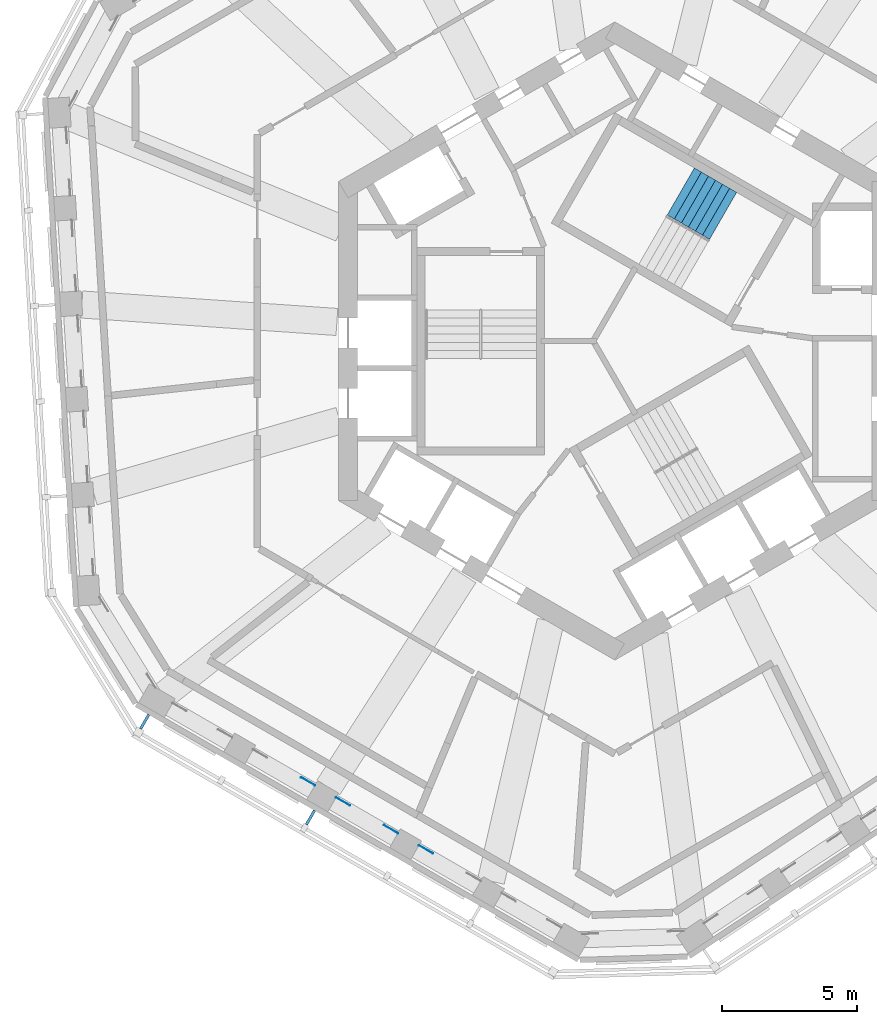
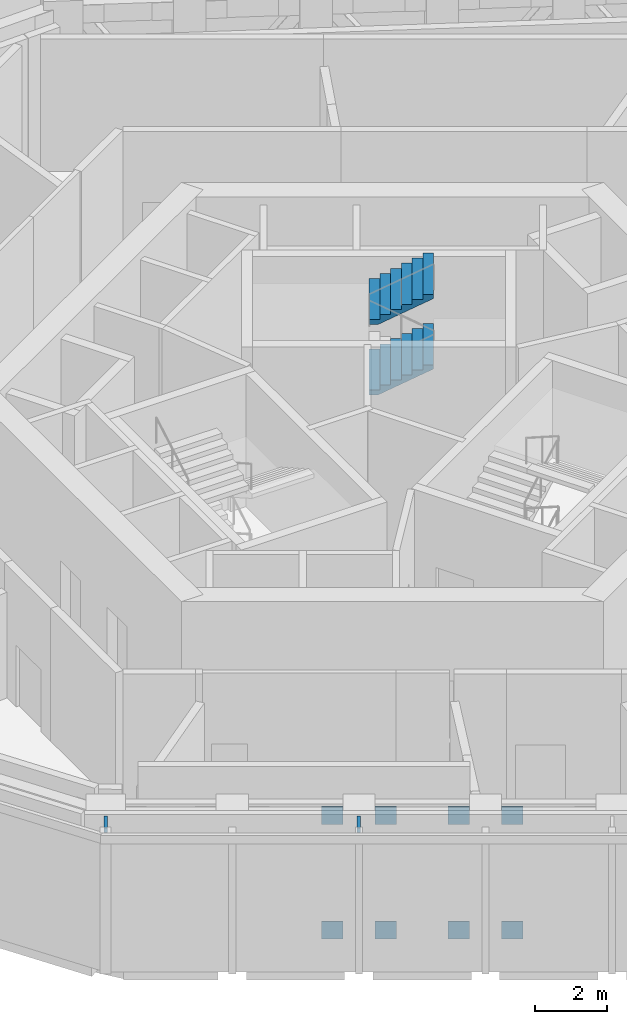
# One storey, part 10 of 14: 10 discrete accessories, 2 stair flights, 1 element without a shape of its own.
"""IFC4 building model written with IfcOpenShell, lengths in metres."""

import ifcopenshell
import ifcopenshell.guid

model = None  # the IFC model being written
_history = None  # IfcOwnerHistory: only IFC2X3 demands one
_inside = {}  # id of a spatial element -> (the spatial element, [elements in it])
_under = {}  # id of a project, library or spatial element -> (it, [spatial elements below it])
_declared = {}  # id of a project -> (the project, [libraries it declares])
_typed = {}  # id of a type object -> (the type object, [elements of that type])
_made_of = {}  # id of a material, layer set ... -> (it, [elements and type objects made of it])


def new_model(schema):
    """Start an empty IFC model of exactly this schema.

    Asked for "IFC4X3", IfcOpenShell would pick the latest addendum, in which some entities
    have other attributes; the version numbers below select the first issue.
    IFC2X3 requires an IfcOwnerHistory on every rooted entity: one is made here for all.
    """
    global model, _history
    if schema == "IFC4X3":
        model = ifcopenshell.file(schema_version=(4, 3, 0, 0))
    else:
        model = ifcopenshell.file(schema=schema)
    _inside.clear()
    _under.clear()
    _declared.clear()
    _typed.clear()
    _made_of.clear()
    _history = None
    if model.schema == "IFC2X3":
        org = make("IfcOrganization", Name="unknown")
        user = make(
            "IfcPersonAndOrganization",
            ThePerson=make("IfcPerson", FamilyName="unknown"),
            TheOrganization=org,
        )
        app = make(
            "IfcApplication",
            ApplicationDeveloper=org,
            Version="unknown",
            ApplicationFullName="unknown",
            ApplicationIdentifier="unknown",
        )
        _history = make(
            "IfcOwnerHistory",
            OwningUser=user,
            OwningApplication=app,
            ChangeAction="ADDED",
            CreationDate=0,
        )
    return model


def make(cls, **values):
    """One entity of the class cls with the attributes given. An attribute that is None is left unset."""
    return model.create_entity(
        cls, **{name: value for name, value in values.items() if value is not None}
    )


def rooted(cls, **values):
    """An entity with a GlobalId (a new one), such as an element, a storey or a relation."""
    return make(cls, GlobalId=ifcopenshell.guid.new(), OwnerHistory=_history, **values)


def si_unit(unit_type, name, prefix=None):
    """IfcSIUnit, for example si_unit("LENGTHUNIT", "METRE", prefix="MILLI")."""
    return make("IfcSIUnit", UnitType=unit_type, Prefix=prefix, Name=name)


def assignment(units):
    """IfcUnitAssignment: the units of a project."""
    return None if units is None else make("IfcUnitAssignment", Units=units)


def point(xyz):
    """IfcCartesianPoint."""
    return None if xyz is None else make("IfcCartesianPoint", Coordinates=xyz)


def direction(xyz):
    """IfcDirection."""
    return None if xyz is None else make("IfcDirection", DirectionRatios=xyz)


def frame(location, z_axis=None, x_axis=None):
    """IfcAxis2Placement3D, a coordinate frame: its origin and axes. An axis left out is left unset."""
    return make(
        "IfcAxis2Placement3D",
        Location=point(location),
        Axis=direction(z_axis),
        RefDirection=direction(x_axis),
    )


def frame_2d(location, x_axis=None):
    """IfcAxis2Placement2D, a coordinate frame in the plane: its origin and x axis."""
    return make(
        "IfcAxis2Placement2D", Location=point(location), RefDirection=direction(x_axis)
    )


def origin():
    """The frame at (0, 0, 0) with its axes left unset."""
    return frame((0.0, 0.0, 0.0))


def origin_2d():
    """The frame at (0, 0) in the plane with its x axis left unset."""
    return frame_2d((0.0, 0.0))


def place(relative_to, where):
    """IfcLocalPlacement: puts the frame where relative to a parent placement (None: the world)."""
    return make(
        "IfcLocalPlacement", PlacementRelTo=relative_to, RelativePlacement=where
    )


def context(
    kind, dimensions, precision=None, world=None, true_north=None, identifier=None
):
    """IfcGeometricRepresentationContext, for example the 3D "Model" context."""
    return make(
        "IfcGeometricRepresentationContext",
        ContextIdentifier=identifier,
        ContextType=kind,
        CoordinateSpaceDimension=dimensions,
        Precision=precision,
        WorldCoordinateSystem=world,
        TrueNorth=true_north,
    )


def subcontext(parent, identifier, kind, view, scale=None):
    """IfcGeometricRepresentationSubContext, for example "Body" below "Model"."""
    return make(
        "IfcGeometricRepresentationSubContext",
        ContextIdentifier=identifier,
        ContextType=kind,
        ParentContext=parent,
        TargetScale=scale,
        TargetView=view,
    )


def project(units=None, contexts=None):
    """IfcProject with its units and contexts."""
    return rooted(
        "IfcProject",
        Name="project",
        RepresentationContexts=contexts,
        UnitsInContext=assignment(units),
    )


def spatial(cls, under=None, at=None, **own):
    """A site, building, storey or space (cls), placed at a placement, below another one or the project."""
    s = rooted(cls, ObjectPlacement=at, **own)
    if under is not None:
        _under.setdefault(under.id(), (under, []))[1].append(s)
    return s


def point_list(points):
    """IfcCartesianPointList2D or 3D."""
    cls = (
        "IfcCartesianPointList2D" if len(points[0]) == 2 else "IfcCartesianPointList3D"
    )
    return make(cls, CoordList=points)


def profile(cls, at=None, kind="AREA", **sizes):
    """A parametric profile (cls). Its sizes go by their IFC names, for example OverallWidth=200.0."""
    return make(cls, ProfileType=kind, Position=at, **sizes)


def rectangle(**sizes):
    """IfcRectangleProfileDef."""
    return profile("IfcRectangleProfileDef", **sizes)


def extrude(swept, where, along, depth):
    """IfcExtrudedAreaSolid: the profile swept, set in the frame where, extruded along a direction by depth."""
    return make(
        "IfcExtrudedAreaSolid",
        SweptArea=swept,
        Position=where,
        ExtrudedDirection=direction(along),
        Depth=depth,
    )


def triangles(points, corners, closed=None, point_numbers=None):
    """IfcTriangulatedFaceSet: each triangle names its three corners, points numbered from 1."""
    return make(
        "IfcTriangulatedFaceSet",
        Coordinates=point_list(points),
        Closed=closed,
        CoordIndex=corners,
        PnIndex=point_numbers,
    )


def shape(context_of_items, identifier, shape_type, items):
    """IfcShapeRepresentation: the items that make up one representation, for example the "Body"."""
    return make(
        "IfcShapeRepresentation",
        ContextOfItems=context_of_items,
        RepresentationIdentifier=identifier,
        RepresentationType=shape_type,
        Items=items,
    )


def source(mapping_origin, context_of_items, identifier, shape_type, items):
    """IfcRepresentationMap: a shape defined once, which mapped items show again and again."""
    return make(
        "IfcRepresentationMap",
        MappingOrigin=mapping_origin,
        MappedRepresentation=shape(context_of_items, identifier, shape_type, items),
    )


def transform(
    local_origin,
    x_axis=None,
    y_axis=None,
    z_axis=None,
    scale=None,
    scale2=None,
    scale3=None,
    uniform=True,
):
    """IfcCartesianTransformationOperator3D, or its non-uniform kind. x_axis, y_axis, z_axis: its Axis1, 2, 3."""
    if uniform:
        return make(
            "IfcCartesianTransformationOperator3D",
            Axis1=direction(x_axis),
            Axis2=direction(y_axis),
            LocalOrigin=point(local_origin),
            Scale=scale,
            Axis3=direction(z_axis),
        )
    return make(
        "IfcCartesianTransformationOperator3DnonUniform",
        Axis1=direction(x_axis),
        Axis2=direction(y_axis),
        LocalOrigin=point(local_origin),
        Scale=scale,
        Axis3=direction(z_axis),
        Scale2=scale2,
        Scale3=scale3,
    )


def mapped(mapping_source, mapping_target):
    """IfcMappedItem: shows the shape of a source again, moved by a transform."""
    return make(
        "IfcMappedItem", MappingSource=mapping_source, MappingTarget=mapping_target
    )


def material(Name=None, Category=None):
    """IfcMaterial."""
    return make("IfcMaterial", Name=Name, Category=Category)


def layer(
    of_material, thickness, ventilated=None, Name=None, Category=None, Priority=None
):
    """IfcMaterialLayer: one layer of a wall or slab, of a material (None: an air gap)."""
    return make(
        "IfcMaterialLayer",
        Material=of_material,
        LayerThickness=thickness,
        IsVentilated=ventilated,
        Name=Name,
        Category=Category,
        Priority=Priority,
    )


def layer_set(layers, Name=None):
    """IfcMaterialLayerSet."""
    return make("IfcMaterialLayerSet", MaterialLayers=layers, LayerSetName=Name)


def made_of(thing, what):
    """Note that an element or type object is made of a material, layer set ...; save() writes the relation."""
    if what is not None:
        _made_of.setdefault(what.id(), (what, []))[1].append(thing)
    return thing


def type_object(cls, material=None, **own):
    """A type object (cls), such as IfcWallType, which elements share."""
    return made_of(rooted(cls, **own), material)


def element(
    cls,
    number,
    at=None,
    inside=None,
    cuts=None,
    type_object=None,
    material=None,
    context=None,
    identifier="Body",
    shape_type=None,
    held_by="IfcProductDefinitionShape",
    body=None,
    shapes=None,
    **own,
):
    """One element of the class cls, such as IfcWall. Its Tag is "e" and its number.

    at: its placement. inside: the storey or other place that contains it. cuts: it is an
    opening in that element (IfcRelVoidsElement). A single representation is given by context,
    identifier, shape_type and body (its items); several are given by shapes. held_by: the class
    of the entity that holds the representations. save() writes the other relations.
    """
    e = rooted(cls, Tag="e%d" % number, ObjectPlacement=at, **own)
    if body is not None:
        shapes = [shape(context, identifier, shape_type, body)]
    if shapes is not None:
        e.Representation = make(held_by, Representations=shapes)
    if inside is not None:
        _inside.setdefault(inside.id(), (inside, []))[1].append(e)
    if cuts is not None:
        rooted(
            "IfcRelVoidsElement", RelatingBuildingElement=cuts, RelatedOpeningElement=e
        )
    if type_object is not None:
        _typed.setdefault(type_object.id(), (type_object, []))[1].append(e)
    return made_of(e, material)


def aggregate(whole, parts):
    """IfcRelAggregates: a whole, such as a stair, and the parts it consists of."""
    return rooted("IfcRelAggregates", RelatingObject=whole, RelatedObjects=parts)


def save(model, path):
    """Write the relations noted so far, then the file.

    IfcRelAggregates (storeys below a building ...), IfcRelContainedInSpatialStructure (elements
    in a storey), IfcRelDefinesByType, IfcRelAssociatesMaterial and IfcRelDeclares: one each for
    every whole, place, type object, material and project.
    """
    for whole, parts in _under.values():
        aggregate(whole, parts)
    for where, things in _inside.values():
        rooted(
            "IfcRelContainedInSpatialStructure",
            RelatedElements=things,
            RelatingStructure=where,
        )
    for kind, things in _typed.values():
        rooted("IfcRelDefinesByType", RelatedObjects=things, RelatingType=kind)
    for what, things in _made_of.values():
        rooted("IfcRelAssociatesMaterial", RelatedObjects=things, RelatingMaterial=what)
    for by, libraries in _declared.values():
        rooted("IfcRelDeclares", RelatingContext=by, RelatedDefinitions=libraries)
    model.write(path)


model = new_model("IFC4")

# Units and contexts
model_context = context("Model", 3, precision=1e-05, world=origin(), true_north=direction((0.0, 1.0)))
body_context = subcontext(model_context, "Body", "Model", "MODEL_VIEW")
ifc_project = project(units=[si_unit("LENGTHUNIT", "METRE"), si_unit("AREAUNIT", "SQUARE_METRE"), si_unit("VOLUMEUNIT", "CUBIC_METRE"), si_unit("PLANEANGLEUNIT", "RADIAN"), si_unit("MASSUNIT", "GRAM", prefix="KILO")], contexts=[model_context])

# Site, building, storey
site_placement = place(None, origin())
site = spatial("IfcSite", under=ifc_project, at=site_placement, CompositionType="ELEMENT")
building_placement = place(site_placement, origin())
building = spatial("IfcBuilding", under=site, at=building_placement, Name="Vanh Sen Convention Tower", CompositionType="ELEMENT")
storey_placement = place(building_placement, frame((0.0, 0.0, 255.0)))
storey = spatial("IfcBuildingStorey", under=building, at=storey_placement, Name="L63", CompositionType="ELEMENT", Elevation=255.0)

# Stair, stair flights
ifc_material_1 = material(Name="Concrete C50/60", Category="concrete")
stair_type = type_object("IfcStairType", Name="Exit stair ST1 28 risers at 171.4", PredefinedType="HALF_TURN_STAIR", material=ifc_material_1)
stair_placement = place(storey_placement, origin())
stair = element("IfcStair", 1, at=stair_placement, inside=storey, type_object=stair_type, Name="Exit stair ST1 L63", PredefinedType="HALF_TURN_STAIR")
ifc_material_2 = material(Name="Concrete C40/50", Category="concrete")
stair_flight_type = type_object("IfcStairFlightType", Name="Stair flight 2000", PredefinedType="STRAIGHT", material=ifc_material_2)
shared_shape = source(origin(), body_context, "Body", "Tessellation", [
    triangles([(0.251953125, 1.0, 0.0), (0.0, 1.0, 0.0), (0.0, 1.0, 0.17138671875), (0.300048828125, 1.0, 0.17138671875), (0.300048828125, 1.0, 0.3427734375), (0.60009765625, 1.0, 0.3427734375), (0.60009765625, 1.0, 0.514404296875), (0.89990234375, 1.0, 0.514404296875), (0.89990234375, 1.0, 0.685791015625), (1.199951171875, 1.0, 0.685791015625), (1.199951171875, 1.0, 0.857177734375), (1.5, 1.0, 0.857177734375), (1.5, 1.0, 1.028564453125), (1.800048828125, 1.0, 1.028564453125), (1.800048828125, 1.0, 0.884521484375), (0.251953125, -1.0, 0.0), (0.0, -1.0, 0.0), (0.0, -1.0, 0.17138671875), (0.300048828125, -1.0, 0.17138671875), (0.300048828125, -1.0, 0.3427734375), (0.60009765625, -1.0, 0.3427734375), (0.60009765625, -1.0, 0.514404296875), (0.89990234375, -1.0, 0.514404296875), (0.89990234375, -1.0, 0.685791015625), (1.199951171875, -1.0, 0.685791015625), (1.199951171875, -1.0, 0.857177734375), (1.5, -1.0, 0.857177734375), (1.5, -1.0, 1.028564453125), (1.800048828125, -1.0, 1.028564453125), (1.800048828125, -1.0, 0.884521484375), (0.0, 0.0400390625, 0.0), (0.0, 0.0390625, 0.0), (0.0, 0.0380859375, 0.0), (0.0, 0.037109375, 0.0), (0.0, 0.035888671875, 0.0), (0.0, 0.034912109375, 0.0), (0.0, 0.033935546875, 0.0), (0.0, 0.032958984375, 0.0), (0.0, 0.031982421875, 0.0), (0.0, 0.031005859375, 0.0), (0.0, 0.030029296875, 0.0), (0.0, 0.029052734375, 0.0), (0.0, 0.028076171875, 0.0), (0.0, 0.027099609375, 0.0), (0.0, 0.02587890625, 0.0), (0.0, 0.02490234375, 0.0), (0.0, 0.02392578125, 0.0), (0.0, 0.02294921875, 0.0), (0.0, 0.02197265625, 0.0), (0.0, 0.02099609375, 0.0), (0.0, 0.02001953125, 0.0), (0.0, 0.01904296875, 0.0), (0.0, 0.01806640625, 0.0), (0.0, 0.01708984375, 0.0), (0.0, 0.01611328125, 0.0), (0.0, 0.014892578125, 0.0), (0.0, 0.013916015625, 0.0), (0.0, 0.012939453125, 0.0), (0.0, 0.011962890625, 0.0), (0.0, 0.010986328125, 0.0), (0.0, 0.010009765625, 0.0), (0.0, 0.009033203125, 0.0), (0.0, 0.008056640625, 0.0), (0.0, 0.007080078125, 0.0), (0.0, 0.006103515625, 0.0), (0.0, 0.0048828125, 0.0), (0.0, 0.00390625, 0.0), (0.0, 0.0029296875, 0.0), (0.0, 0.001953125, 0.0), (0.0, 0.0009765625, 0.0), (0.0, 0.0, 0.0), (0.0, -0.0009765625, 0.0), (0.0, -0.001953125, 0.0), (0.0, -0.0029296875, 0.0), (0.0, -0.00390625, 0.0), (0.0, -0.0048828125, 0.0), (0.0, -0.006103515625, 0.0), (0.0, -0.007080078125, 0.0), (0.0, -0.008056640625, 0.0), (0.0, -0.009033203125, 0.0), (0.0, -0.010009765625, 0.0), (0.0, -0.010986328125, 0.0), (0.0, -0.011962890625, 0.0), (0.0, -0.012939453125, 0.0), (0.0, -0.013916015625, 0.0), (0.0, -0.014892578125, 0.0), (0.0, -0.01611328125, 0.0), (0.0, -0.01708984375, 0.0), (0.0, -0.01806640625, 0.0), (0.0, -0.01904296875, 0.0), (0.0, -0.02001953125, 0.0), (0.0, -0.02099609375, 0.0), (0.0, -0.02197265625, 0.0), (0.0, -0.02294921875, 0.0), (0.0, -0.02392578125, 0.0), (0.0, -0.02490234375, 0.0), (0.0, -0.02587890625, 0.0), (0.0, -0.027099609375, 0.0), (0.0, -0.028076171875, 0.0), (0.0, -0.029052734375, 0.0), (0.0, -0.030029296875, 0.0), (0.0, -0.031005859375, 0.0), (0.0, -0.031982421875, 0.0), (0.0, -0.032958984375, 0.0), (0.0, -0.033935546875, 0.0), (0.0, -0.034912109375, 0.0), (0.0, -0.035888671875, 0.0), (0.0, -0.037109375, 0.0), (0.0, -0.0380859375, 0.0), (0.0, -0.0390625, 0.0), (0.0, -0.0400390625, 0.0), (0.0, 0.0400390625, 0.17138671875), (0.0, 0.0390625, 0.17138671875), (0.0, 0.0380859375, 0.17138671875), (0.0, 0.037109375, 0.17138671875), (0.0, 0.035888671875, 0.17138671875), (0.0, 0.034912109375, 0.17138671875), (0.0, 0.033935546875, 0.17138671875), (0.0, 0.032958984375, 0.17138671875), (0.0, 0.031982421875, 0.17138671875), (0.0, 0.031005859375, 0.17138671875), (0.0, 0.030029296875, 0.17138671875), (0.0, 0.029052734375, 0.17138671875), (0.0, 0.028076171875, 0.17138671875), (0.0, 0.027099609375, 0.17138671875), (0.0, 0.02587890625, 0.17138671875), (0.0, 0.02490234375, 0.17138671875), (0.0, 0.02392578125, 0.17138671875), (0.0, 0.02294921875, 0.17138671875), (0.0, 0.02197265625, 0.17138671875), (0.0, 0.02099609375, 0.17138671875), (0.0, 0.02001953125, 0.17138671875), (0.0, 0.01904296875, 0.17138671875), (0.0, 0.01806640625, 0.17138671875), (0.0, 0.01708984375, 0.17138671875), (0.0, 0.01611328125, 0.17138671875), (0.0, 0.014892578125, 0.17138671875), (0.0, 0.013916015625, 0.17138671875), (0.0, 0.012939453125, 0.17138671875), (0.0, 0.011962890625, 0.17138671875), (0.0, 0.010986328125, 0.17138671875), (0.0, 0.010009765625, 0.17138671875), (0.0, 0.009033203125, 0.17138671875), (0.0, 0.008056640625, 0.17138671875), (0.0, 0.007080078125, 0.17138671875), (0.0, 0.006103515625, 0.17138671875), (0.0, 0.0048828125, 0.17138671875), (0.0, 0.00390625, 0.17138671875), (0.0, 0.0029296875, 0.17138671875), (0.0, 0.001953125, 0.17138671875), (0.0, 0.0009765625, 0.17138671875), (0.0, 0.0, 0.17138671875), (0.0, -0.0009765625, 0.17138671875), (0.0, -0.001953125, 0.17138671875), (0.0, -0.0029296875, 0.17138671875), (0.0, -0.00390625, 0.17138671875), (0.0, -0.0048828125, 0.17138671875), (0.0, -0.006103515625, 0.17138671875), (0.0, -0.007080078125, 0.17138671875), (0.0, -0.008056640625, 0.17138671875), (0.0, -0.009033203125, 0.17138671875), (0.0, -0.010009765625, 0.17138671875), (0.0, -0.010986328125, 0.17138671875), (0.0, -0.011962890625, 0.17138671875), (0.0, -0.012939453125, 0.17138671875), (0.0, -0.013916015625, 0.17138671875), (0.0, -0.014892578125, 0.17138671875), (0.0, -0.01611328125, 0.17138671875), (0.0, -0.01708984375, 0.17138671875), (0.0, -0.01806640625, 0.17138671875), (0.0, -0.01904296875, 0.17138671875), (0.0, -0.02001953125, 0.17138671875), (0.0, -0.02099609375, 0.17138671875), (0.0, -0.02197265625, 0.17138671875), (0.0, -0.02294921875, 0.17138671875), (0.0, -0.02392578125, 0.17138671875), (0.0, -0.02490234375, 0.17138671875), (0.0, -0.02587890625, 0.17138671875), (0.0, -0.027099609375, 0.17138671875), (0.0, -0.028076171875, 0.17138671875), (0.0, -0.029052734375, 0.17138671875), (0.0, -0.030029296875, 0.17138671875), (0.0, -0.031005859375, 0.17138671875), (0.0, -0.031982421875, 0.17138671875), (0.0, -0.032958984375, 0.17138671875), (0.0, -0.033935546875, 0.17138671875), (0.0, -0.034912109375, 0.17138671875), (0.0, -0.035888671875, 0.17138671875), (0.0, -0.037109375, 0.17138671875), (0.0, -0.0380859375, 0.17138671875), (0.0, -0.0390625, 0.17138671875), (0.0, -0.0400390625, 0.17138671875), (0.300048828125, 0.0, 0.17138671875), (0.300048828125, 0.0, 0.3427734375), (0.60009765625, 0.0, 0.3427734375), (0.60009765625, 0.0, 0.514404296875), (0.89990234375, 0.0, 0.514404296875), (0.89990234375, 0.0, 0.685791015625), (1.199951171875, 0.0, 0.685791015625), (1.199951171875, 0.0, 0.857177734375), (1.5, 0.0, 0.857177734375), (1.5, 0.0, 1.028564453125), (1.800048828125, 0.0400390625, 1.028564453125), (1.800048828125, 0.0390625, 1.028564453125), (1.800048828125, 0.0380859375, 1.028564453125), (1.800048828125, 0.037109375, 1.028564453125), (1.800048828125, 0.035888671875, 1.028564453125), (1.800048828125, 0.034912109375, 1.028564453125), (1.800048828125, 0.033935546875, 1.028564453125), (1.800048828125, 0.032958984375, 1.028564453125), (1.800048828125, 0.031982421875, 1.028564453125), (1.800048828125, 0.031005859375, 1.028564453125), (1.800048828125, 0.030029296875, 1.028564453125), (1.800048828125, 0.029052734375, 1.028564453125), (1.800048828125, 0.028076171875, 1.028564453125), (1.800048828125, 0.027099609375, 1.028564453125), (1.800048828125, 0.02587890625, 1.028564453125), (1.800048828125, 0.02490234375, 1.028564453125), (1.800048828125, 0.02392578125, 1.028564453125), (1.800048828125, 0.02294921875, 1.028564453125), (1.800048828125, 0.02197265625, 1.028564453125), (1.800048828125, 0.02099609375, 1.028564453125), (1.800048828125, 0.02001953125, 1.028564453125), (1.800048828125, 0.01904296875, 1.028564453125), (1.800048828125, 0.01806640625, 1.028564453125), (1.800048828125, 0.01708984375, 1.028564453125), (1.800048828125, 0.01611328125, 1.028564453125), (1.800048828125, 0.014892578125, 1.028564453125), (1.800048828125, 0.013916015625, 1.028564453125), (1.800048828125, 0.012939453125, 1.028564453125), (1.800048828125, 0.011962890625, 1.028564453125), (1.800048828125, 0.010986328125, 1.028564453125), (1.800048828125, 0.010009765625, 1.028564453125), (1.800048828125, 0.009033203125, 1.028564453125), (1.800048828125, 0.008056640625, 1.028564453125), (1.800048828125, 0.007080078125, 1.028564453125), (1.800048828125, 0.006103515625, 1.028564453125), (1.800048828125, 0.0048828125, 1.028564453125), (1.800048828125, 0.00390625, 1.028564453125), (1.800048828125, 0.0029296875, 1.028564453125), (1.800048828125, 0.001953125, 1.028564453125), (1.800048828125, 0.0009765625, 1.028564453125), (1.800048828125, 0.0, 1.028564453125), (1.800048828125, -0.0009765625, 1.028564453125), (1.800048828125, -0.001953125, 1.028564453125), (1.800048828125, -0.0029296875, 1.028564453125), (1.800048828125, -0.00390625, 1.028564453125), (1.800048828125, -0.0048828125, 1.028564453125), (1.800048828125, -0.006103515625, 1.028564453125), (1.800048828125, -0.007080078125, 1.028564453125), (1.800048828125, -0.008056640625, 1.028564453125), (1.800048828125, -0.009033203125, 1.028564453125), (1.800048828125, -0.010009765625, 1.028564453125), (1.800048828125, -0.010986328125, 1.028564453125), (1.800048828125, -0.011962890625, 1.028564453125), (1.800048828125, -0.012939453125, 1.028564453125), (1.800048828125, -0.013916015625, 1.028564453125), (1.800048828125, -0.014892578125, 1.028564453125), (1.800048828125, -0.01611328125, 1.028564453125), (1.800048828125, -0.01708984375, 1.028564453125), (1.800048828125, -0.01806640625, 1.028564453125), (1.800048828125, -0.01904296875, 1.028564453125), (1.800048828125, -0.02001953125, 1.028564453125), (1.800048828125, -0.02099609375, 1.028564453125), (1.800048828125, -0.02197265625, 1.028564453125), (1.800048828125, -0.02294921875, 1.028564453125), (1.800048828125, -0.02392578125, 1.028564453125), (1.800048828125, -0.02490234375, 1.028564453125), (1.800048828125, -0.02587890625, 1.028564453125), (1.800048828125, -0.027099609375, 1.028564453125), (1.800048828125, -0.028076171875, 1.028564453125), (1.800048828125, -0.029052734375, 1.028564453125), (1.800048828125, -0.030029296875, 1.028564453125), (1.800048828125, -0.031005859375, 1.028564453125), (1.800048828125, -0.031982421875, 1.028564453125), (1.800048828125, -0.032958984375, 1.028564453125), (1.800048828125, -0.033935546875, 1.028564453125), (1.800048828125, -0.034912109375, 1.028564453125), (1.800048828125, -0.035888671875, 1.028564453125), (1.800048828125, -0.037109375, 1.028564453125), (1.800048828125, -0.0380859375, 1.028564453125), (1.800048828125, -0.0390625, 1.028564453125), (1.800048828125, -0.0400390625, 1.028564453125), (1.800048828125, 0.0400390625, 0.884521484375), (1.800048828125, 0.0390625, 0.884521484375), (1.800048828125, 0.0380859375, 0.884521484375), (1.800048828125, 0.037109375, 0.884521484375), (1.800048828125, 0.035888671875, 0.884521484375), (1.800048828125, 0.034912109375, 0.884521484375), (1.800048828125, 0.033935546875, 0.884521484375), (1.800048828125, 0.032958984375, 0.884521484375), (1.800048828125, 0.031982421875, 0.884521484375), (1.800048828125, 0.031005859375, 0.884521484375), (1.800048828125, 0.030029296875, 0.884521484375), (1.800048828125, 0.029052734375, 0.884521484375), (1.800048828125, 0.028076171875, 0.884521484375), (1.800048828125, 0.027099609375, 0.884521484375), (1.800048828125, 0.02587890625, 0.884521484375), (1.800048828125, 0.02490234375, 0.884521484375), (1.800048828125, 0.02392578125, 0.884521484375), (1.800048828125, 0.02294921875, 0.884521484375), (1.800048828125, 0.02197265625, 0.884521484375), (1.800048828125, 0.02099609375, 0.884521484375), (1.800048828125, 0.02001953125, 0.884521484375), (1.800048828125, 0.01904296875, 0.884521484375), (1.800048828125, 0.01806640625, 0.884521484375), (1.800048828125, 0.01708984375, 0.884521484375), (1.800048828125, 0.01611328125, 0.884521484375), (1.800048828125, 0.014892578125, 0.884521484375), (1.800048828125, 0.013916015625, 0.884521484375), (1.800048828125, 0.012939453125, 0.884521484375), (1.800048828125, 0.011962890625, 0.884521484375), (1.800048828125, 0.010986328125, 0.884521484375), (1.800048828125, 0.010009765625, 0.884521484375), (1.800048828125, 0.009033203125, 0.884521484375), (1.800048828125, 0.008056640625, 0.884521484375), (1.800048828125, 0.007080078125, 0.884521484375), (1.800048828125, 0.006103515625, 0.884521484375), (1.800048828125, 0.0048828125, 0.884521484375), (1.800048828125, 0.00390625, 0.884521484375), (1.800048828125, 0.0029296875, 0.884521484375), (1.800048828125, 0.001953125, 0.884521484375), (1.800048828125, 0.0009765625, 0.884521484375), (1.800048828125, 0.0, 0.884521484375), (1.800048828125, -0.0009765625, 0.884521484375), (1.800048828125, -0.001953125, 0.884521484375), (1.800048828125, -0.0029296875, 0.884521484375), (1.800048828125, -0.00390625, 0.884521484375), (1.800048828125, -0.0048828125, 0.884521484375), (1.800048828125, -0.006103515625, 0.884521484375), (1.800048828125, -0.007080078125, 0.884521484375), (1.800048828125, -0.008056640625, 0.884521484375), (1.800048828125, -0.009033203125, 0.884521484375), (1.800048828125, -0.010009765625, 0.884521484375), (1.800048828125, -0.010986328125, 0.884521484375), (1.800048828125, -0.011962890625, 0.884521484375), (1.800048828125, -0.012939453125, 0.884521484375), (1.800048828125, -0.013916015625, 0.884521484375), (1.800048828125, -0.014892578125, 0.884521484375), (1.800048828125, -0.01611328125, 0.884521484375), (1.800048828125, -0.01708984375, 0.884521484375), (1.800048828125, -0.01806640625, 0.884521484375), (1.800048828125, -0.01904296875, 0.884521484375), (1.800048828125, -0.02001953125, 0.884521484375), (1.800048828125, -0.02099609375, 0.884521484375), (1.800048828125, -0.02197265625, 0.884521484375), (1.800048828125, -0.02294921875, 0.884521484375), (1.800048828125, -0.02392578125, 0.884521484375), (1.800048828125, -0.02490234375, 0.884521484375), (1.800048828125, -0.02587890625, 0.884521484375), (1.800048828125, -0.027099609375, 0.884521484375), (1.800048828125, -0.028076171875, 0.884521484375), (1.800048828125, -0.029052734375, 0.884521484375), (1.800048828125, -0.030029296875, 0.884521484375), (1.800048828125, -0.031005859375, 0.884521484375), (1.800048828125, -0.031982421875, 0.884521484375), (1.800048828125, -0.032958984375, 0.884521484375), (1.800048828125, -0.033935546875, 0.884521484375), (1.800048828125, -0.034912109375, 0.884521484375), (1.800048828125, -0.035888671875, 0.884521484375), (1.800048828125, -0.037109375, 0.884521484375), (1.800048828125, -0.0380859375, 0.884521484375), (1.800048828125, -0.0390625, 0.884521484375), (1.800048828125, -0.0400390625, 0.884521484375), (0.251953125, 0.0, 0.0)], [[1, 2, 3], [1, 3, 4], [4, 5, 6], [1, 4, 6], [6, 7, 8], [1, 6, 8], [8, 9, 10], [1, 8, 10], [10, 11, 12], [1, 10, 12], [12, 13, 14], [1, 12, 14], [14, 15, 1], [16, 18, 17], [16, 19, 18], [19, 21, 20], [16, 21, 19], [21, 23, 22], [16, 23, 21], [23, 25, 24], [16, 25, 23], [25, 27, 26], [16, 27, 25], [27, 29, 28], [16, 29, 27], [29, 16, 30], [2, 112, 3], [2, 31, 112], [31, 113, 112], [31, 32, 113], [32, 114, 113], [32, 33, 114], [33, 115, 114], [33, 34, 115], [34, 116, 115], [34, 35, 116], [35, 117, 116], [35, 36, 117], [36, 118, 117], [36, 37, 118], [37, 119, 118], [37, 38, 119], [38, 120, 119], [38, 39, 120], [39, 121, 120], [39, 40, 121], [40, 122, 121], [40, 41, 122], [41, 123, 122], [41, 42, 123], [42, 124, 123], [42, 43, 124], [43, 125, 124], [43, 44, 125], [44, 126, 125], [44, 45, 126], [45, 127, 126], [45, 46, 127], [46, 128, 127], [46, 47, 128], [47, 129, 128], [47, 48, 129], [48, 130, 129], [48, 49, 130], [49, 131, 130], [49, 50, 131], [50, 132, 131], [50, 51, 132], [51, 133, 132], [51, 52, 133], [52, 134, 133], [52, 53, 134], [53, 135, 134], [53, 54, 135], [54, 136, 135], [54, 55, 136], [55, 137, 136], [55, 56, 137], [56, 138, 137], [56, 57, 138], [57, 139, 138], [57, 58, 139], [58, 140, 139], [58, 59, 140], [59, 141, 140], [59, 60, 141], [60, 142, 141], [60, 61, 142], [61, 143, 142], [61, 62, 143], [62, 144, 143], [62, 63, 144], [63, 145, 144], [63, 64, 145], [64, 146, 145], [64, 65, 146], [65, 147, 146], [65, 66, 147], [66, 148, 147], [66, 67, 148], [67, 149, 148], [67, 68, 149], [68, 150, 149], [68, 69, 150], [69, 151, 150], [69, 70, 151], [70, 152, 151], [70, 71, 152], [71, 72, 152], [152, 72, 153], [72, 73, 153], [153, 73, 154], [73, 74, 154], [154, 74, 155], [74, 75, 155], [155, 75, 156], [75, 76, 156], [156, 76, 157], [76, 77, 157], [157, 77, 158], [77, 78, 158], [158, 78, 159], [78, 79, 159], [159, 79, 160], [79, 80, 160], [160, 80, 161], [80, 81, 161], [161, 81, 162], [81, 82, 162], [162, 82, 163], [82, 83, 163], [163, 83, 164], [83, 84, 164], [164, 84, 165], [84, 85, 165], [165, 85, 166], [85, 86, 166], [166, 86, 167], [86, 87, 167], [167, 87, 168], [87, 88, 168], [168, 88, 169], [88, 89, 169], [169, 89, 170], [89, 90, 170], [170, 90, 171], [90, 91, 171], [171, 91, 172], [91, 92, 172], [172, 92, 173], [92, 93, 173], [173, 93, 174], [93, 94, 174], [174, 94, 175], [94, 95, 175], [175, 95, 176], [95, 96, 176], [176, 96, 177], [96, 97, 177], [177, 97, 178], [97, 98, 178], [178, 98, 179], [98, 99, 179], [179, 99, 180], [99, 100, 180], [180, 100, 181], [100, 101, 181], [181, 101, 182], [101, 102, 182], [182, 102, 183], [102, 103, 183], [183, 103, 184], [103, 104, 184], [184, 104, 185], [104, 105, 185], [185, 105, 186], [105, 106, 186], [186, 106, 187], [106, 107, 187], [187, 107, 188], [107, 108, 188], [188, 108, 189], [108, 109, 189], [189, 109, 190], [109, 110, 190], [190, 110, 191], [110, 111, 191], [191, 111, 192], [111, 17, 192], [192, 17, 18], [4, 3, 112], [4, 112, 113], [4, 113, 114], [4, 114, 115], [4, 115, 116], [4, 116, 117], [4, 117, 118], [4, 118, 119], [4, 119, 120], [4, 120, 121], [4, 121, 122], [4, 122, 123], [4, 123, 124], [4, 124, 125], [4, 125, 126], [4, 126, 127], [4, 127, 128], [4, 128, 129], [4, 129, 130], [4, 130, 131], [4, 131, 132], [4, 132, 133], [4, 133, 134], [4, 134, 135], [4, 135, 136], [4, 136, 137], [4, 137, 138], [4, 138, 139], [4, 139, 140], [4, 140, 141], [4, 141, 142], [4, 142, 143], [4, 143, 144], [4, 144, 145], [4, 145, 146], [4, 146, 147], [4, 147, 148], [4, 148, 149], [4, 149, 150], [4, 150, 151], [4, 151, 152], [19, 152, 153], [19, 153, 154], [19, 154, 155], [19, 155, 156], [19, 156, 157], [19, 157, 158], [19, 158, 159], [19, 159, 160], [19, 160, 161], [19, 161, 162], [19, 162, 163], [19, 163, 164], [19, 164, 165], [19, 165, 166], [19, 166, 167], [19, 167, 168], [19, 168, 169], [19, 169, 170], [19, 170, 171], [19, 171, 172], [19, 172, 173], [19, 173, 174], [19, 174, 175], [19, 175, 176], [19, 176, 177], [19, 177, 178], [19, 178, 179], [19, 179, 180], [19, 180, 181], [19, 181, 182], [19, 182, 183], [19, 183, 184], [19, 184, 185], [19, 185, 186], [19, 186, 187], [19, 187, 188], [19, 188, 189], [19, 189, 190], [19, 190, 191], [19, 191, 192], [19, 192, 18], [4, 152, 193], [19, 193, 152], [4, 194, 5], [4, 193, 194], [193, 19, 194], [194, 19, 20], [5, 195, 6], [5, 194, 195], [194, 20, 195], [195, 20, 21], [6, 196, 7], [6, 195, 196], [195, 21, 196], [196, 21, 22], [7, 197, 8], [7, 196, 197], [196, 22, 197], [197, 22, 23], [8, 198, 9], [8, 197, 198], [197, 23, 198], [198, 23, 24], [9, 199, 10], [9, 198, 199], [198, 24, 199], [199, 24, 25], [10, 200, 11], [10, 199, 200], [199, 25, 200], [200, 25, 26], [11, 201, 12], [11, 200, 201], [200, 26, 201], [201, 26, 27], [12, 202, 13], [12, 201, 202], [201, 27, 202], [202, 27, 28], [13, 203, 14], [13, 204, 203], [13, 205, 204], [13, 206, 205], [13, 207, 206], [13, 208, 207], [13, 209, 208], [13, 210, 209], [13, 211, 210], [13, 212, 211], [13, 213, 212], [13, 214, 213], [13, 215, 214], [13, 216, 215], [13, 217, 216], [13, 218, 217], [13, 219, 218], [13, 220, 219], [13, 221, 220], [13, 222, 221], [13, 223, 222], [13, 224, 223], [13, 225, 224], [13, 226, 225], [13, 227, 226], [13, 228, 227], [13, 229, 228], [13, 230, 229], [13, 231, 230], [13, 232, 231], [13, 233, 232], [13, 234, 233], [13, 235, 234], [13, 236, 235], [13, 237, 236], [13, 238, 237], [13, 239, 238], [13, 240, 239], [13, 241, 240], [13, 242, 241], [13, 243, 242], [28, 244, 243], [28, 245, 244], [28, 246, 245], [28, 247, 246], [28, 248, 247], [28, 249, 248], [28, 250, 249], [28, 251, 250], [28, 252, 251], [28, 253, 252], [28, 254, 253], [28, 255, 254], [28, 256, 255], [28, 257, 256], [28, 258, 257], [28, 259, 258], [28, 260, 259], [28, 261, 260], [28, 262, 261], [28, 263, 262], [28, 264, 263], [28, 265, 264], [28, 266, 265], [28, 267, 266], [28, 268, 267], [28, 269, 268], [28, 270, 269], [28, 271, 270], [28, 272, 271], [28, 273, 272], [28, 274, 273], [28, 275, 274], [28, 276, 275], [28, 277, 276], [28, 278, 277], [28, 279, 278], [28, 280, 279], [28, 281, 280], [28, 282, 281], [28, 283, 282], [28, 29, 283], [13, 202, 243], [28, 243, 202], [14, 284, 15], [14, 203, 284], [203, 285, 284], [203, 204, 285], [204, 286, 285], [204, 205, 286], [205, 287, 286], [205, 206, 287], [206, 288, 287], [206, 207, 288], [207, 289, 288], [207, 208, 289], [208, 290, 289], [208, 209, 290], [209, 291, 290], [209, 210, 291], [210, 292, 291], [210, 211, 292], [211, 293, 292], [211, 212, 293], [212, 294, 293], [212, 213, 294], [213, 295, 294], [213, 214, 295], [214, 296, 295], [214, 215, 296], [215, 297, 296], [215, 216, 297], [216, 298, 297], [216, 217, 298], [217, 299, 298], [217, 218, 299], [218, 300, 299], [218, 219, 300], [219, 301, 300], [219, 220, 301], [220, 302, 301], [220, 221, 302], [221, 303, 302], [221, 222, 303], [222, 304, 303], [222, 223, 304], [223, 305, 304], [223, 224, 305], [224, 306, 305], [224, 225, 306], [225, 307, 306], [225, 226, 307], [226, 308, 307], [226, 227, 308], [227, 309, 308], [227, 228, 309], [228, 310, 309], [228, 229, 310], [229, 311, 310], [229, 230, 311], [230, 312, 311], [230, 231, 312], [231, 313, 312], [231, 232, 313], [232, 314, 313], [232, 233, 314], [233, 315, 314], [233, 234, 315], [234, 316, 315], [234, 235, 316], [235, 317, 316], [235, 236, 317], [236, 318, 317], [236, 237, 318], [237, 319, 318], [237, 238, 319], [238, 320, 319], [238, 239, 320], [239, 321, 320], [239, 240, 321], [240, 322, 321], [240, 241, 322], [241, 323, 322], [241, 242, 323], [242, 324, 323], [242, 243, 324], [243, 244, 324], [324, 244, 325], [244, 245, 325], [325, 245, 326], [245, 246, 326], [326, 246, 327], [246, 247, 327], [327, 247, 328], [247, 248, 328], [328, 248, 329], [248, 249, 329], [329, 249, 330], [249, 250, 330], [330, 250, 331], [250, 251, 331], [331, 251, 332], [251, 252, 332], [332, 252, 333], [252, 253, 333], [333, 253, 334], [253, 254, 334], [334, 254, 335], [254, 255, 335], [335, 255, 336], [255, 256, 336], [336, 256, 337], [256, 257, 337], [337, 257, 338], [257, 258, 338], [338, 258, 339], [258, 259, 339], [339, 259, 340], [259, 260, 340], [340, 260, 341], [260, 261, 341], [341, 261, 342], [261, 262, 342], [342, 262, 343], [262, 263, 343], [343, 263, 344], [263, 264, 344], [344, 264, 345], [264, 265, 345], [345, 265, 346], [265, 266, 346], [346, 266, 347], [266, 267, 347], [347, 267, 348], [267, 268, 348], [348, 268, 349], [268, 269, 349], [349, 269, 350], [269, 270, 350], [350, 270, 351], [270, 271, 351], [351, 271, 352], [271, 272, 352], [352, 272, 353], [272, 273, 353], [353, 273, 354], [273, 274, 354], [354, 274, 355], [274, 275, 355], [355, 275, 356], [275, 276, 356], [356, 276, 357], [276, 277, 357], [357, 277, 358], [277, 278, 358], [358, 278, 359], [278, 279, 359], [359, 279, 360], [279, 280, 360], [360, 280, 361], [280, 281, 361], [361, 281, 362], [281, 282, 362], [362, 282, 363], [282, 283, 363], [363, 283, 364], [283, 29, 364], [364, 29, 30], [1, 15, 284], [1, 284, 285], [1, 285, 286], [1, 286, 287], [1, 287, 288], [1, 288, 289], [1, 289, 290], [1, 290, 291], [1, 291, 292], [1, 292, 293], [1, 293, 294], [1, 294, 295], [1, 295, 296], [1, 296, 297], [1, 297, 298], [1, 298, 299], [1, 299, 300], [1, 300, 301], [1, 301, 302], [1, 302, 303], [1, 303, 304], [1, 304, 305], [1, 305, 306], [1, 306, 307], [1, 307, 308], [1, 308, 309], [1, 309, 310], [1, 310, 311], [1, 311, 312], [1, 312, 313], [1, 313, 314], [1, 314, 315], [1, 315, 316], [1, 316, 317], [1, 317, 318], [1, 318, 319], [1, 319, 320], [1, 320, 321], [1, 321, 322], [1, 322, 323], [1, 323, 324], [16, 324, 325], [16, 325, 326], [16, 326, 327], [16, 327, 328], [16, 328, 329], [16, 329, 330], [16, 330, 331], [16, 331, 332], [16, 332, 333], [16, 333, 334], [16, 334, 335], [16, 335, 336], [16, 336, 337], [16, 337, 338], [16, 338, 339], [16, 339, 340], [16, 340, 341], [16, 341, 342], [16, 342, 343], [16, 343, 344], [16, 344, 345], [16, 345, 346], [16, 346, 347], [16, 347, 348], [16, 348, 349], [16, 349, 350], [16, 350, 351], [16, 351, 352], [16, 352, 353], [16, 353, 354], [16, 354, 355], [16, 355, 356], [16, 356, 357], [16, 357, 358], [16, 358, 359], [16, 359, 360], [16, 360, 361], [16, 361, 362], [16, 362, 363], [16, 363, 364], [16, 364, 30], [1, 324, 365], [16, 365, 324], [1, 31, 2], [1, 32, 31], [1, 33, 32], [1, 34, 33], [1, 35, 34], [1, 36, 35], [1, 37, 36], [1, 38, 37], [1, 39, 38], [1, 40, 39], [1, 41, 40], [1, 42, 41], [1, 43, 42], [1, 44, 43], [1, 45, 44], [1, 46, 45], [1, 47, 46], [1, 48, 47], [1, 49, 48], [1, 50, 49], [1, 51, 50], [1, 52, 51], [1, 53, 52], [1, 54, 53], [1, 55, 54], [1, 56, 55], [1, 57, 56], [1, 58, 57], [1, 59, 58], [1, 60, 59], [1, 61, 60], [1, 62, 61], [1, 63, 62], [1, 64, 63], [1, 65, 64], [1, 66, 65], [1, 67, 66], [1, 68, 67], [1, 69, 68], [1, 70, 69], [1, 71, 70], [16, 72, 71], [16, 73, 72], [16, 74, 73], [16, 75, 74], [16, 76, 75], [16, 77, 76], [16, 78, 77], [16, 79, 78], [16, 80, 79], [16, 81, 80], [16, 82, 81], [16, 83, 82], [16, 84, 83], [16, 85, 84], [16, 86, 85], [16, 87, 86], [16, 88, 87], [16, 89, 88], [16, 90, 89], [16, 91, 90], [16, 92, 91], [16, 93, 92], [16, 94, 93], [16, 95, 94], [16, 96, 95], [16, 97, 96], [16, 98, 97], [16, 99, 98], [16, 100, 99], [16, 101, 100], [16, 102, 101], [16, 103, 102], [16, 104, 103], [16, 105, 104], [16, 106, 105], [16, 107, 106], [16, 108, 107], [16, 109, 108], [16, 110, 109], [16, 111, 110], [16, 17, 111], [1, 365, 71], [16, 71, 365]], closed=True),
])
stair_flight_1_placement = place(storey_placement, frame((2.43701171875, 5.521240234375, 1.199951171875), z_axis=(0.0, 0.0, 1.0), x_axis=(0.866025403784, -0.5, 0.0)))
stair_flight_1 = element("IfcStairFlight", 2, at=stair_flight_1_placement, type_object=stair_flight_type, Name="ST1 flight 2", NumberOfRisers=7, NumberOfTreads=6, PredefinedType="STRAIGHT", RiserHeight=0.171428571, TreadLength=0.3, context=body_context, shape_type="MappedRepresentation", body=[
    mapped(shared_shape, transform((0.0, 0.0, 0.0))),
])
stair_flight_2_placement = place(storey_placement, frame((2.43701171875, 5.521240234375, 3.60009765625), z_axis=(0.0, 0.0, 1.0), x_axis=(0.866025403784, -0.5, 0.0)))
stair_flight_2 = element("IfcStairFlight", 3, at=stair_flight_2_placement, type_object=stair_flight_type, Name="ST1 flight 4", NumberOfRisers=7, NumberOfTreads=6, PredefinedType="STRAIGHT", RiserHeight=0.171428571, TreadLength=0.3, context=body_context, shape_type="MappedRepresentation", body=[
    mapped(shared_shape, transform((0.0, 0.0, 0.0))),
])
aggregate(stair, [stair_flight_1, stair_flight_2])

# Discrete accessories
ifc_material_3 = material(Name="Steel S355", Category="steel")
ifc_layer = layer(ifc_material_3, 0.02001953125)
ifc_layer_set = layer_set([ifc_layer], Name="Steel S355")
discrete_accessory_type_1 = type_object("IfcDiscreteAccessoryType", Name="Belt truss gusset plate 600 x 600 x 20", PredefinedType="USERDEFINED", material=ifc_layer_set)
for number, where, z_axis, x_axis, name in (
    (4, (-11.325439453125, -16.2548828125, 0.0), (0.0, 0.0, 1.0), (-0.866026276448, 0.4999984885, 0.0), "GUSSET PLATE belt truss chord bottom 26 L63 end"),
    (5, (-11.325439453125, -16.2548828125, 3.89990234375), (0.0, 0.0, 1.0), (-0.866026276448, 0.4999984885, 0.0), "GUSSET PLATE belt truss chord top 26 L63 end"),
    (6, (-10.034912109375, -17.0, 0.0), (0.0, 0.0, 1.0), (0.866014058921, -0.500019649364, 0.0), "GUSSET PLATE belt truss chord bottom 27 L63 start"),
    (7, (-8.26513671875, -18.02197265625, 0.0), (0.0, 0.0, 1.0), (-0.866014058921, 0.500019649364, 0.0), "GUSSET PLATE belt truss chord bottom 27 L63 end"),
    (8, (-10.034912109375, -17.0, 3.89990234375), (0.0, 0.0, 1.0), (0.866014058921, -0.500019649364, 0.0), "GUSSET PLATE belt truss chord top 27 L63 start"),
    (9, (-8.26513671875, -18.02197265625, 3.89990234375), (0.0, 0.0, 1.0), (-0.866014058921, 0.500019649364, 0.0), "GUSSET PLATE belt truss chord top 27 L63 end"),
    (10, (-6.974853515625, -18.766845703125, 0.0), (0.0, 0.0, 1.0), (0.866026276448, -0.4999984885, 0.0), "GUSSET PLATE belt truss chord bottom 28 L63 start"),
    (11, (-6.974853515625, -18.766845703125, 3.89990234375), (0.0, 0.0, 1.0), (0.866026276448, -0.4999984885, 0.0), "GUSSET PLATE belt truss chord top 28 L63 start"),
):
    element("IfcDiscreteAccessory", number, at=place(storey_placement, frame(where, z_axis=z_axis, x_axis=x_axis)), inside=storey, type_object=discrete_accessory_type_1, Name=name, ObjectType="GUSSET PLATE", PredefinedType="USERDEFINED", context=body_context, shape_type="SweptSolid", body=[
        extrude(rectangle(XDim=0.60009765625, YDim=0.02001953125, at=origin_2d()), origin(), (0.0, 0.0, 1.0), 0.60009765625),
    ])
ifc_material_4 = material(Name="Steel S355", Category="steel")
discrete_accessory_type_2 = type_object("IfcDiscreteAccessoryType", Name="Fin bracket 100 x 150", PredefinedType="BRACKET", material=ifc_material_4)
for number, where, z_axis, x_axis, name in (
    (12, (-17.355712890625, -14.05517578125, 4.60009765625), (0.0, 0.0, 1.0), (-0.5, -0.866025403784, 0.0), "Fin bracket SW-1 L63"),
    (13, (-11.235107421875, -17.5888671875, 4.60009765625), (0.0, 0.0, 1.0), (-0.5, -0.866025403784, 0.0), "Fin bracket SW-3 L63"),
):
    element("IfcDiscreteAccessory", number, at=place(storey_placement, frame(where, z_axis=z_axis, x_axis=x_axis)), inside=storey, type_object=discrete_accessory_type_2, Name=name, PredefinedType="BRACKET", context=body_context, shape_type="SweptSolid", body=[
        extrude(rectangle(XDim=0.60009765625, YDim=0.10009765625, at=origin_2d()), origin(), (0.0, 0.0, 1.0), 0.14990234375),
    ])

save(model, "model.ifc")
